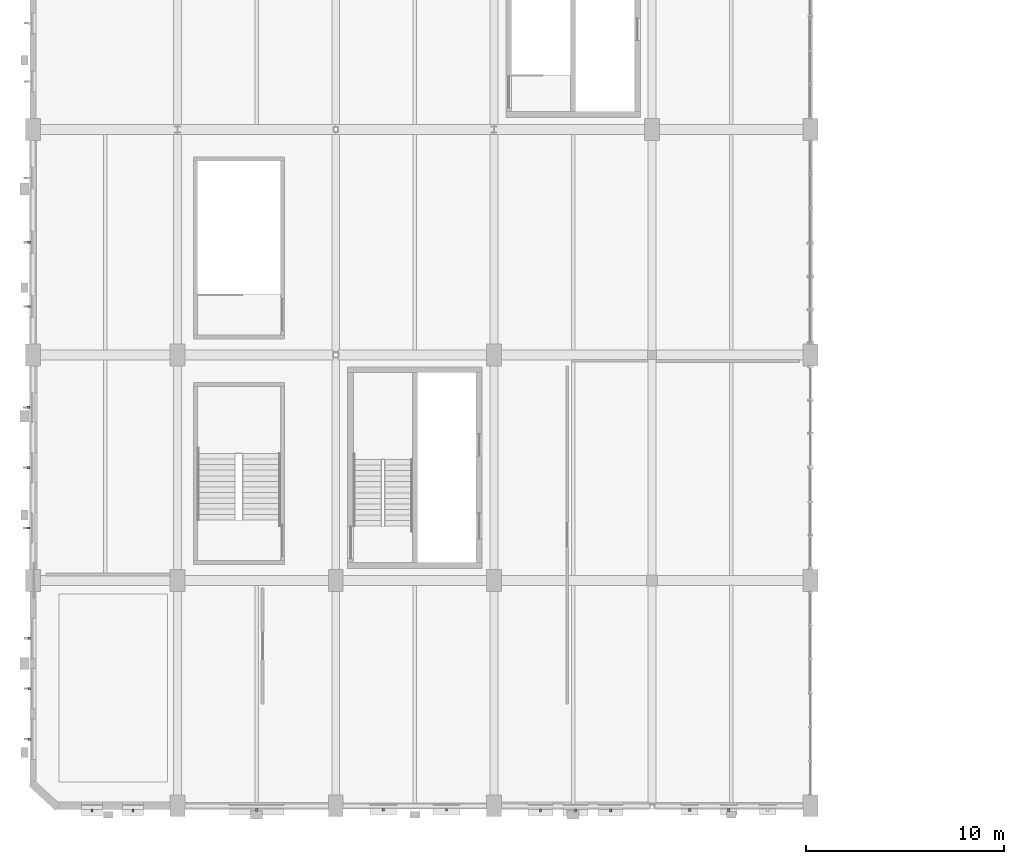
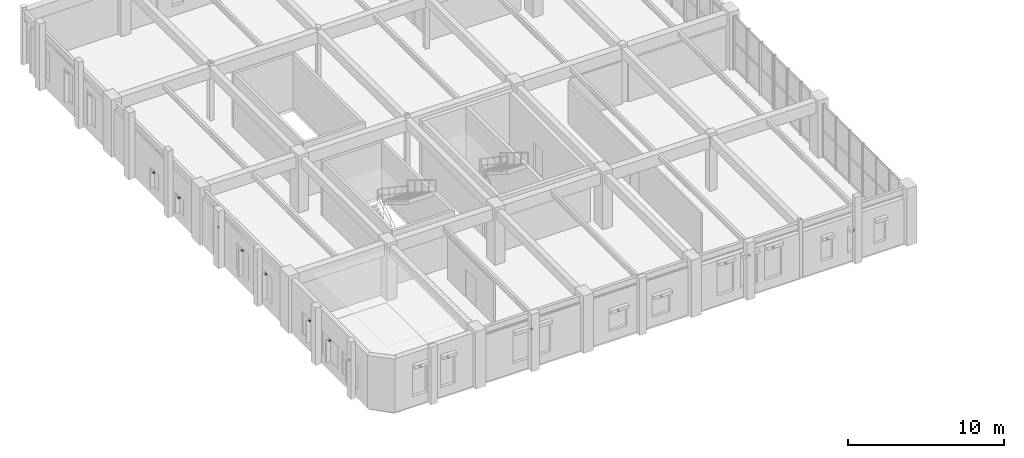
# One storey, part 41 of 48: 18 discrete accessories.
"""IFC4 building model written with IfcOpenShell, lengths in metres."""

from ifc_helpers import new_model, si_unit, direction, frame, origin, origin_2d, place, context, subcontext, project, spatial, rectangle, extrude, material, type_object, element, save


model = new_model("IFC4")

# Units and contexts
model_context = context("Model", 3, precision=1e-05, world=origin(), true_north=direction((0.0, 1.0)))
body_context = subcontext(model_context, "Body", "Model", "MODEL_VIEW")
ifc_project = project(units=[si_unit("LENGTHUNIT", "METRE"), si_unit("AREAUNIT", "SQUARE_METRE"), si_unit("VOLUMEUNIT", "CUBIC_METRE"), si_unit("PLANEANGLEUNIT", "RADIAN"), si_unit("MASSUNIT", "GRAM", prefix="KILO"), si_unit("POWERUNIT", "WATT"), si_unit("THERMODYNAMICTEMPERATUREUNIT", "KELVIN")], contexts=[model_context])

# Site, building, storey
site_placement = place(None, origin())
site = spatial("IfcSite", under=ifc_project, at=site_placement, CompositionType="ELEMENT")
building_placement = place(site_placement, origin())
building = spatial("IfcBuilding", under=site, at=building_placement, Name="Kelmbourne Parkland Aquatics Centre", CompositionType="ELEMENT")
storey_placement = place(building_placement, frame((0.0, 0.0, 14.699951171875)))
storey = spatial("IfcBuildingStorey", under=building, at=storey_placement, Name="L03", CompositionType="ELEMENT", Elevation=14.699951171875)

# Discrete accessories
ifc_material = material(Name="Hot-dip galvanised structural steel AS/NZS 4680", Category="steel")
discrete_accessory_type = type_object("IfcDiscreteAccessoryType", Name="ACC-BRK-1", PredefinedType="BRACKET", material=ifc_material)
for number, where, z_axis, x_axis, name in (
    (1, (0.5048828125, 4.175048828125, 2.340087890625), (0.0, 0.0, 1.0), (0.0, 1.0, 0.0), "Galvanised sunshade fixing bracket 164"),
    (2, (0.5048828125, 6.72412109375, 2.340087890625), (0.0, 0.0, 1.0), (0.0, 1.0, 0.0), "Galvanised sunshade fixing bracket 165"),
    (3, (0.5048828125, 9.27294921875, 2.340087890625), (0.0, 0.0, 1.0), (0.0, 1.0, 0.0), "Galvanised sunshade fixing bracket 166"),
    (4, (0.465087890625, 14.85205078125, 2.639892578125), (0.0, 0.0, 1.0), (0.0, 1.0, 0.0), "Galvanised sunshade fixing bracket 167"),
    (5, (0.465087890625, 17.89990234375, 2.639892578125), (0.0, 0.0, 1.0), (0.0, 1.0, 0.0), "Galvanised sunshade fixing bracket 168"),
    (6, (0.465087890625, 20.947998046875, 2.639892578125), (0.0, 0.0, 1.0), (0.0, 1.0, 0.0), "Galvanised sunshade fixing bracket 169"),
    (7, (0.485107421875, 26.052001953125, 1.840087890625), (0.0, 0.0, 1.0), (0.0, 1.0, 0.0), "Galvanised sunshade fixing bracket 170"),
    (8, (0.485107421875, 29.300048828125, 1.840087890625), (0.0, 0.0, 1.0), (0.0, 1.0, 0.0), "Galvanised sunshade fixing bracket 171"),
    (9, (3.675048828125, 0.56494140625, 2.93994140625), (0.0, 0.0, 1.0), (1.0, 0.0, 0.0), "Galvanised sunshade fixing bracket 176"),
    (10, (5.748046875, 0.56494140625, 2.93994140625), (0.0, 0.0, 1.0), (1.0, 0.0, 0.0), "Galvanised sunshade fixing bracket 177"),
    (11, (12.0, 0.5849609375, 2.93994140625), (0.0, 0.0, 1.0), (1.0, 0.0, 0.0), "Galvanised sunshade fixing bracket 178"),
    (12, (18.402099609375, 0.60498046875, 2.139892578125), (0.0, 0.0, 1.0), (1.0, 0.0, 0.0), "Galvanised sunshade fixing bracket 179"),
    (13, (21.597900390625, 0.60498046875, 2.139892578125), (0.0, 0.0, 1.0), (1.0, 0.0, 0.0), "Galvanised sunshade fixing bracket 180"),
    (14, (26.35205078125, 0.56494140625, 3.090087890625), (0.0, 0.0, 1.0), (1.0, 0.0, 0.0), "Galvanised sunshade fixing bracket 181"),
    (15, (28.125, 0.56494140625, 3.090087890625), (0.0, 0.0, 1.0), (1.0, 0.0, 0.0), "Galvanised sunshade fixing bracket 182"),
    (16, (29.89794921875, 0.56494140625, 3.090087890625), (0.0, 0.0, 1.0), (1.0, 0.0, 0.0), "Galvanised sunshade fixing bracket 183"),
    (17, (33.902099609375, 0.5849609375, 2.340087890625), (0.0, 0.0, 1.0), (1.0, 0.0, 0.0), "Galvanised sunshade fixing bracket 184"),
    (18, (35.875, 0.5849609375, 2.340087890625), (0.0, 0.0, 1.0), (1.0, 0.0, 0.0), "Galvanised sunshade fixing bracket 185"),
):
    element("IfcDiscreteAccessory", number, at=place(storey_placement, frame(where, z_axis=z_axis, x_axis=x_axis)), inside=storey, type_object=discrete_accessory_type, Name=name, PredefinedType="BRACKET", context=body_context, shape_type="SweptSolid", body=[
        extrude(rectangle(XDim=0.1201171875, YDim=0.139892578125, at=origin_2d()), origin(), (0.0, 0.0, 1.0), 0.1201171875),
    ])

save(model, "model.ifc")
